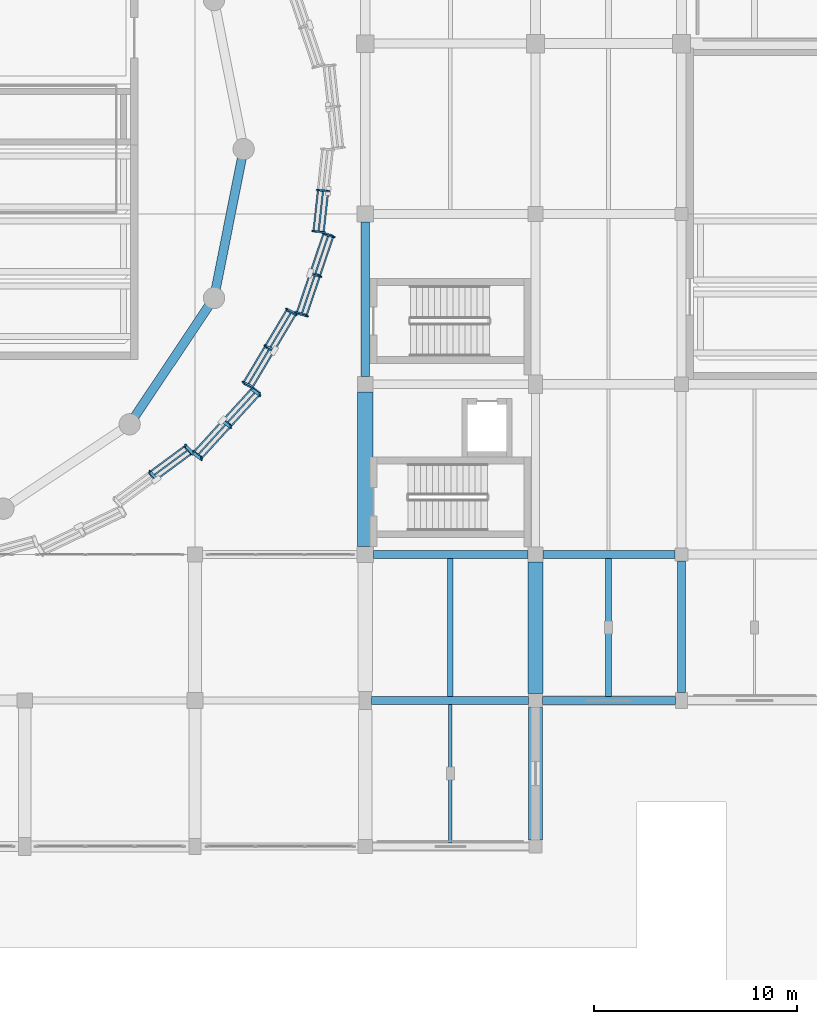
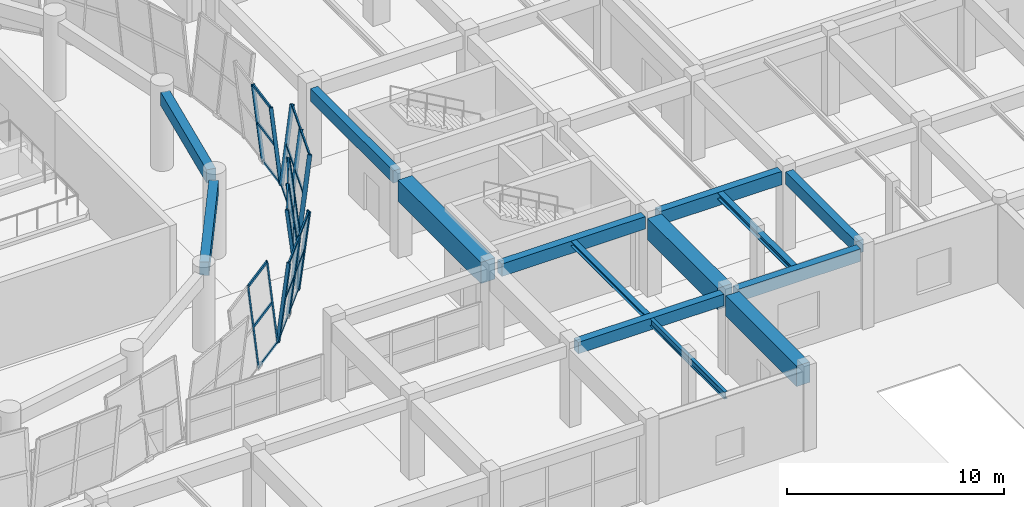
# One storey, part 27 of 72: 37 members, 14 beams, 5 elements without a shape of their own.
"""IFC4 building model written with IfcOpenShell, lengths in metres."""

from ifc_helpers import new_model, si_unit, direction, frame, origin, origin_2d, place, context, subcontext, project, spatial, rectangle, hollow_rectangle, i_section, extrude, material, material_profile, profile_set, type_object, element, aggregate, save


model = new_model("IFC4")

# Units and contexts
model_context = context("Model", 3, precision=1e-05, world=origin(), true_north=direction((0.0, 1.0)))
body_context = subcontext(model_context, "Body", "Model", "MODEL_VIEW")
ifc_project = project(units=[si_unit("LENGTHUNIT", "METRE"), si_unit("AREAUNIT", "SQUARE_METRE"), si_unit("VOLUMEUNIT", "CUBIC_METRE"), si_unit("PLANEANGLEUNIT", "RADIAN"), si_unit("MASSUNIT", "GRAM", prefix="KILO")], contexts=[model_context])

# Site, building, storey
site_placement = place(None, origin())
site = spatial("IfcSite", under=ifc_project, at=site_placement, CompositionType="ELEMENT")
building_placement = place(site_placement, origin())
building = spatial("IfcBuilding", under=site, at=building_placement, Name="Korsvaeld Concert Hall", CompositionType="ELEMENT")
storey_placement = place(building_placement, origin())
storey = spatial("IfcBuildingStorey", under=building, at=storey_placement, Name="L00", CompositionType="ELEMENT", Elevation=0.0)

# Beams
ifc_material_1 = material(Name="Concrete C35/45", Category="concrete")
ifc_material_profile_1 = material_profile(ifc_material_1, rectangle(XDim=0.39990234375, YDim=0.64990234375, at=origin_2d()), Name="RC 400x650")
ifc_profile_set_1 = profile_set([ifc_material_profile_1], Name="Concrete C35/45")
beam_type_1 = type_object("IfcBeamType", Name="BM-RC-400x650", PredefinedType="T_BEAM", material=ifc_profile_set_1)
beam_1_placement = place(storey_placement, frame((109.5, 36.0, 4.114990234375), z_axis=(1.0, 0.0, 0.0), x_axis=(0.0, 1.0, 0.0)))
element("IfcBeam", 1, at=beam_1_placement, inside=storey, type_object=beam_type_1, Name="Primary girder 15-16/F L00", PredefinedType="T_BEAM", context=body_context, shape_type="SweptSolid", body=[
    extrude(rectangle(XDim=0.39990234375, YDim=0.64990234375, at=origin_2d()), origin(), (0.0, 0.0, 1.0), 7.75),
])
ifc_material_profile_2 = material_profile(ifc_material_1, rectangle(XDim=0.39990234375, YDim=0.699951171875, at=origin_2d()), Name="RC 400x700")
ifc_profile_set_2 = profile_set([ifc_material_profile_2], Name="Concrete C35/45")
beam_type_2 = type_object("IfcBeamType", Name="BM-RC-400x700", PredefinedType="T_BEAM", material=ifc_profile_set_2)
beam_2_placement = place(storey_placement, frame((117.949951171875, 36.0, 4.090087890625), z_axis=(1.0, 0.0, 0.0), x_axis=(0.0, 1.0, 0.0)))
element("IfcBeam", 2, at=beam_2_placement, inside=storey, type_object=beam_type_2, Name="Primary girder 16-17/F L00", PredefinedType="T_BEAM", context=body_context, shape_type="SweptSolid", body=[
    extrude(rectangle(XDim=0.39990234375, YDim=0.699951171875, at=origin_2d()), origin(), (0.0, 0.0, 1.0), 6.550048828125),
])
for number, where, z_axis, x_axis, name in (
    (3, (109.60009765625, 43.199951171875, 4.090087890625), (1.0, 0.0, 0.0), (0.0, 1.0, 0.0), "Primary girder 15-16/G L00"),
    (4, (109.199951171875, 51.97509765625, 4.090087890625), (0.0, 1.0, 0.0), (-1.0, 0.0, 0.0), "Primary girder 15/H-J L00"),
):
    element("IfcBeam", number, at=place(storey_placement, frame(where, z_axis=z_axis, x_axis=x_axis)), inside=storey, type_object=beam_type_2, Name=name, PredefinedType="T_BEAM", context=body_context, shape_type="SweptSolid", body=[
        extrude(rectangle(XDim=0.39990234375, YDim=0.699951171875, at=origin_2d()), origin(), (0.0, 0.0, 1.0), 7.625),
    ])
beam_3_placement = place(storey_placement, frame((124.800048828125, 36.39990234375, 4.090087890625), z_axis=(0.0, 1.0, 0.0), x_axis=(-1.0, 0.0, 0.0)))
element("IfcBeam", 5, at=beam_3_placement, inside=storey, type_object=beam_type_2, Name="Primary girder 17/F-G L00", PredefinedType="T_BEAM", context=body_context, shape_type="SweptSolid", body=[
    extrude(rectangle(XDim=0.39990234375, YDim=0.699951171875, at=origin_2d()), origin(), (0.0, 0.0, 1.0), 6.47509765625),
])
ifc_material_profile_3 = material_profile(ifc_material_1, rectangle(XDim=0.39990234375, YDim=0.75, at=origin_2d()), Name="RC 400x750")
ifc_profile_set_3 = profile_set([ifc_material_profile_3], Name="Concrete C35/45")
beam_type_3 = type_object("IfcBeamType", Name="BM-RC-400x750", PredefinedType="T_BEAM", material=ifc_profile_set_3)
beam_4_placement = place(storey_placement, frame((117.97509765625, 43.199951171875, 4.06494140625), z_axis=(1.0, 0.0, 0.0), x_axis=(0.0, 1.0, 0.0)))
element("IfcBeam", 6, at=beam_4_placement, inside=storey, type_object=beam_type_3, Name="Primary girder 16-17/G L00", PredefinedType="T_BEAM", context=body_context, shape_type="SweptSolid", body=[
    extrude(rectangle(XDim=0.39990234375, YDim=0.75, at=origin_2d()), origin(), (0.0, 0.0, 1.0), 6.5),
])
ifc_material_profile_4 = material_profile(ifc_material_1, rectangle(XDim=0.449951171875, YDim=0.75, at=origin_2d()), Name="RC 450x750")
ifc_profile_set_4 = profile_set([ifc_material_profile_4], Name="Concrete C35/45")
beam_type_4 = type_object("IfcBeamType", Name="BM-RC-450x750", PredefinedType="T_BEAM", material=ifc_profile_set_4)
for number, where, z_axis, x_axis, name in (
    (7, (97.826416015625, 49.997802734375, 4.06494140625), (0.555588821765, 0.831457191399, 0.0), (-0.831457191399, 0.555588821765, 0.0), "Drum ring floor girder L00 15"),
    (8, (101.826416015625, 56.2939453125, 4.06494140625), (0.195090301499, 0.980785284484, 0.0), (-0.980785284484, 0.195090301499, 0.0), "Drum ring floor girder L00 16"),
):
    element("IfcBeam", number, at=place(storey_placement, frame(where, z_axis=z_axis, x_axis=x_axis)), inside=storey, type_object=beam_type_4, Name=name, PredefinedType="T_BEAM", context=body_context, shape_type="SweptSolid", body=[
        extrude(rectangle(XDim=0.449951171875, YDim=0.75, at=origin_2d()), origin(), (0.0, 0.0, 1.0), 6.59130859375),
    ])
ifc_material_2 = material(Name="Concrete C40/50", Category="concrete")
ifc_material_profile_5 = material_profile(ifc_material_2, rectangle(XDim=0.699951171875, YDim=1.14990234375, at=origin_2d()), Name="RC 700x1150")
ifc_profile_set_5 = profile_set([ifc_material_profile_5], Name="Concrete C40/50")
beam_type_5 = type_object("IfcBeamType", Name="BM-RC-700x1150", PredefinedType="T_BEAM", material=ifc_profile_set_5)
beam_5_placement = place(storey_placement, frame((117.60009765625, 29.125, 3.864990234375), z_axis=(0.0, 1.0, 0.0), x_axis=(-1.0, 0.0, 0.0)))
element("IfcBeam", 9, at=beam_5_placement, inside=storey, type_object=beam_type_5, Name="Primary girder 16/E-F L00", PredefinedType="T_BEAM", context=body_context, shape_type="SweptSolid", body=[
    extrude(rectangle(XDim=0.699951171875, YDim=1.14990234375, at=origin_2d()), origin(), (0.0, 0.0, 1.0), 6.52490234375),
])
ifc_material_profile_6 = material_profile(ifc_material_2, rectangle(XDim=0.75, YDim=1.199951171875, at=origin_2d()), Name="RC 750x1200")
ifc_profile_set_6 = profile_set([ifc_material_profile_6], Name="Concrete C40/50")
beam_type_6 = type_object("IfcBeamType", Name="BM-RC-750x1200", PredefinedType="T_BEAM", material=ifc_profile_set_6)
beam_6_placement = place(storey_placement, frame((109.199951171875, 43.60009765625, 3.840087890625), z_axis=(0.0, 1.0, 0.0), x_axis=(-1.0, 0.0, 0.0)))
element("IfcBeam", 10, at=beam_6_placement, inside=storey, type_object=beam_type_6, Name="Primary girder 15/G-H L00", PredefinedType="T_BEAM", context=body_context, shape_type="SweptSolid", body=[
    extrude(rectangle(XDim=0.75, YDim=1.199951171875, at=origin_2d()), origin(), (0.0, 0.0, 1.0), 7.625),
])
beam_7_placement = place(storey_placement, frame((117.60009765625, 36.35009765625, 3.840087890625), z_axis=(0.0, 1.0, 0.0), x_axis=(-1.0, 0.0, 0.0)))
element("IfcBeam", 11, at=beam_7_placement, inside=storey, type_object=beam_type_6, Name="Primary girder 16/F-G L00", PredefinedType="T_BEAM", context=body_context, shape_type="SweptSolid", body=[
    extrude(rectangle(XDim=0.75, YDim=1.199951171875, at=origin_2d()), origin(), (0.0, 0.0, 1.0), 6.474853515625),
])
ifc_material_3 = material(Name="Steel S355J2", Category="steel")
ifc_material_profile_7 = material_profile(ifc_material_3, i_section(OverallWidth=0.280029296875, OverallDepth=0.27001953125, WebThickness=0.008056640625, FlangeThickness=0.012939453125, FilletRadius=0.02392578125, at=origin_2d()), Name="HEA 280")
ifc_profile_set_7 = profile_set([ifc_material_profile_7], Name="Steel S355J2")
beam_type_7 = type_object("IfcBeamType", Name="BM-STL-HEA280", PredefinedType="BEAM", material=ifc_profile_set_7)
beam_8_placement = place(storey_placement, frame((113.39990234375, 36.199951171875, 4.304931640625), z_axis=(0.0, 1.0, 0.0), x_axis=(-1.0, 0.0, 0.0)))
element("IfcBeam", 12, at=beam_8_placement, inside=storey, type_object=beam_type_7, Name="Secondary steel floor beam 15-16/F L00", PredefinedType="BEAM", context=body_context, shape_type="SweptSolid", body=[
    extrude(i_section(OverallWidth=0.280029296875, OverallDepth=0.27001953125, WebThickness=0.008056640625, FlangeThickness=0.012939453125, FilletRadius=0.02392578125, at=origin_2d()), origin(), (0.0, 0.0, 1.0), 6.800048828125),
])
ifc_material_profile_8 = material_profile(ifc_material_3, i_section(OverallWidth=0.300048828125, OverallDepth=0.35009765625, WebThickness=0.010009765625, FlangeThickness=0.017578125, FilletRadius=0.027099609375, at=origin_2d()), Name="HEA 360")
ifc_profile_set_8 = profile_set([ifc_material_profile_8], Name="Steel S355J2")
beam_type_8 = type_object("IfcBeamType", Name="BM-STL-HEA360", PredefinedType="BEAM", material=ifc_profile_set_8)
beam_9_placement = place(storey_placement, frame((121.199951171875, 36.199951171875, 4.264892578125), z_axis=(0.0, 1.0, 0.0), x_axis=(-1.0, 0.0, 0.0)))
element("IfcBeam", 13, at=beam_9_placement, inside=storey, type_object=beam_type_8, Name="Secondary steel floor beam 16-17/F L00", PredefinedType="BEAM", context=body_context, shape_type="SweptSolid", body=[
    extrude(i_section(OverallWidth=0.300048828125, OverallDepth=0.35009765625, WebThickness=0.010009765625, FlangeThickness=0.017578125, FilletRadius=0.027099609375, at=origin_2d()), origin(), (0.0, 0.0, 1.0), 6.800048828125),
])
ifc_material_profile_9 = material_profile(ifc_material_3, i_section(OverallWidth=0.179931640625, OverallDepth=0.39990234375, WebThickness=0.008544921875, FlangeThickness=0.013427734375, FilletRadius=0.02099609375, at=origin_2d()), Name="IPE 400")
ifc_profile_set_9 = profile_set([ifc_material_profile_9], Name="Steel S355J2")
beam_type_9 = type_object("IfcBeamType", Name="BM-STL-IPE400", PredefinedType="BEAM", material=ifc_profile_set_9)
beam_10_placement = place(storey_placement, frame((113.39990234375, 28.97509765625, 4.239990234375), z_axis=(0.0, 1.0, 0.0), x_axis=(-1.0, 0.0, 0.0)))
element("IfcBeam", 14, at=beam_10_placement, inside=storey, type_object=beam_type_9, Name="Secondary steel floor beam 15-16/E L00", PredefinedType="BEAM", context=body_context, shape_type="SweptSolid", body=[
    extrude(i_section(OverallWidth=0.179931640625, OverallDepth=0.39990234375, WebThickness=0.008544921875, FlangeThickness=0.013427734375, FilletRadius=0.02099609375, at=origin_2d()), origin(), (0.0, 0.0, 1.0), 6.824951171875),
])

# Curtain wall, members
ifc_material_4 = material(Name="Anodised bronze and ceramic-fritted safety glass", Category="glass")
curtain_wall_type_1 = type_object("IfcCurtainWallType", Name="CW-TYPE-04", PredefinedType="USERDEFINED", material=ifc_material_4)
curtain_wall_1_placement = place(storey_placement, origin())
curtain_wall_1 = element("IfcCurtainWall", 15, at=curtain_wall_1_placement, inside=storey, type_object=curtain_wall_type_1, Name="Crystal curtain-wall facet L00 F28", ObjectType="CURTAIN WALL", PredefinedType="USERDEFINED")
ifc_material_5 = material(Name="Anodised architectural bronze aluminium", Category="aluminium")
ifc_material_profile_10 = material_profile(ifc_material_5, hollow_rectangle(XDim=0.074951171875, YDim=0.179931640625, WallThickness=0.0048828125, at=origin_2d()), Name="CWM 180x75x5")
ifc_profile_set_10 = profile_set([ifc_material_profile_10], Name="Anodised architectural bronze aluminium")
member_type_1 = type_object("IfcMemberType", Name="CWM-BRONZE-180x75", PredefinedType="MULLION", material=ifc_profile_set_10)
member_1_placement = place(storey_placement, frame((98.899658203125, 46.89111328125, 0.0), z_axis=(-0.076345544466, 0.083546932703, 0.993574993584), x_axis=(0.977534797756, -0.190071839955, 0.091095635634)))
member_1 = element("IfcMember", 16, at=member_1_placement, type_object=member_type_1, Name="CW-CRYS-L00-F28 crystal mullion 2", PredefinedType="MULLION", context=body_context, shape_type="SweptSolid", body=[
    extrude(hollow_rectangle(XDim=0.074951171875, YDim=0.179931640625, WallThickness=0.0048828125, at=origin_2d()), origin(), (0.0, 0.0, 1.0), 4.509033203125),
])
member_2_placement = place(storey_placement, frame((100.657470703125, 48.18701171875, 0.0), z_axis=(-0.076345198991, 0.083600700172, 0.99357049751), x_axis=(0.977470985896, -0.190384528217, 0.091127400637)))
member_2 = element("IfcMember", 17, at=member_2_placement, type_object=member_type_1, Name="CW-CRYS-L00-F28 crystal mullion 3", PredefinedType="MULLION", context=body_context, shape_type="SweptSolid", body=[
    extrude(hollow_rectangle(XDim=0.074951171875, YDim=0.179931640625, WallThickness=0.0048828125, at=origin_2d()), origin(), (0.0, 0.0, 1.0), 4.509033203125),
])

curtain_wall_type_2 = type_object("IfcCurtainWallType", Name="CW-TYPE-06", PredefinedType="USERDEFINED", material=ifc_material_4)
curtain_wall_2_placement = place(storey_placement, origin())
curtain_wall_2 = element("IfcCurtainWall", 18, at=curtain_wall_2_placement, inside=storey, type_object=curtain_wall_type_2, Name="Crystal curtain-wall facet L00 F30", ObjectType="CURTAIN WALL", PredefinedType="USERDEFINED")
member_3_placement = place(storey_placement, frame((103.641845703125, 51.4541015625, 0.0), z_axis=(-0.102064294294, 0.049001690364, 0.993570185831), x_axis=(0.829955472375, 0.554817257188, 0.057894084342)))
member_3 = element("IfcMember", 19, at=member_3_placement, type_object=member_type_1, Name="CW-CRYS-L00-F30 crystal mullion 1", PredefinedType="MULLION", context=body_context, shape_type="SweptSolid", body=[
    extrude(hollow_rectangle(XDim=0.074951171875, YDim=0.179931640625, WallThickness=0.0048828125, at=origin_2d()), origin(), (0.0, 0.0, 1.0), 4.509033203125),
])
member_4_placement = place(storey_placement, frame((104.713134765625, 53.25439453125, 0.0), z_axis=(-0.102064294294, 0.049001690364, 0.993570185831), x_axis=(0.829955472375, 0.554817257188, 0.057894084342)))
member_4 = element("IfcMember", 20, at=member_4_placement, type_object=member_type_1, Name="CW-CRYS-L00-F30 crystal mullion 2", PredefinedType="MULLION", context=body_context, shape_type="SweptSolid", body=[
    extrude(hollow_rectangle(XDim=0.074951171875, YDim=0.179931640625, WallThickness=0.0048828125, at=origin_2d()), origin(), (0.0, 0.0, 1.0), 4.509033203125),
])
member_5_placement = place(storey_placement, frame((105.784423828125, 55.054931640625, 0.0), z_axis=(-0.102064294294, 0.049001690364, 0.993570185831), x_axis=(0.829955472375, 0.554817257188, 0.057894084342)))
member_5 = element("IfcMember", 21, at=member_5_placement, type_object=member_type_1, Name="CW-CRYS-L00-F30 crystal mullion 3", PredefinedType="MULLION", context=body_context, shape_type="SweptSolid", body=[
    extrude(hollow_rectangle(XDim=0.074951171875, YDim=0.179931640625, WallThickness=0.0048828125, at=origin_2d()), origin(), (0.0, 0.0, 1.0), 4.509033203125),
])

curtain_wall_type_3 = type_object("IfcCurtainWallType", Name="CW-TYPE-08", PredefinedType="USERDEFINED", material=ifc_material_4)
curtain_wall_3_placement = place(storey_placement, origin())
curtain_wall_3 = element("IfcCurtainWall", 22, at=curtain_wall_3_placement, inside=storey, type_object=curtain_wall_type_3, Name="Crystal curtain-wall facet L00 F32", ObjectType="CURTAIN WALL", PredefinedType="USERDEFINED")
member_6_placement = place(storey_placement, frame((107.150634765625, 59.101318359375, 0.0), z_axis=(-0.112785024271, 0.009962767386, 0.993569464892), x_axis=(0.195342682506, 0.980657399627, 0.012341027037)))
member_6 = element("IfcMember", 23, at=member_6_placement, type_object=member_type_1, Name="CW-CRYS-L00-F32 crystal mullion 1", PredefinedType="MULLION", context=body_context, shape_type="SweptSolid", body=[
    extrude(hollow_rectangle(XDim=0.074951171875, YDim=0.179931640625, WallThickness=0.0048828125, at=origin_2d()), origin(), (0.0, 0.0, 1.0), 4.509033203125),
])
member_7_placement = place(storey_placement, frame((107.373291015625, 61.132080078125, 0.0), z_axis=(-0.112785024271, 0.009962767386, 0.993569464892), x_axis=(0.195342682506, 0.980657399627, 0.012341027037)))
member_7 = element("IfcMember", 24, at=member_7_placement, type_object=member_type_1, Name="CW-CRYS-L00-F32 crystal mullion 2", PredefinedType="MULLION", context=body_context, shape_type="SweptSolid", body=[
    extrude(hollow_rectangle(XDim=0.074951171875, YDim=0.179931640625, WallThickness=0.0048828125, at=origin_2d()), origin(), (0.0, 0.0, 1.0), 4.509033203125),
])

curtain_wall_type_4 = type_object("IfcCurtainWallType", Name="CW-TYPE-05", PredefinedType="USERDEFINED", material=ifc_material_4)
curtain_wall_4_placement = place(storey_placement, origin())
curtain_wall_4 = element("IfcCurtainWall", 25, at=curtain_wall_4_placement, inside=storey, type_object=curtain_wall_type_4, Name="Crystal curtain-wall facet L00 F29", ObjectType="CURTAIN WALL", PredefinedType="USERDEFINED")
ifc_material_profile_11 = material_profile(ifc_material_5, hollow_rectangle(XDim=0.074951171875, YDim=0.219970703125, WallThickness=0.006103515625, at=origin_2d()), Name="CWM 220x75x6")
ifc_profile_set_11 = profile_set([ifc_material_profile_11], Name="Anodised architectural bronze aluminium")
member_type_2 = type_object("IfcMemberType", Name="CWM-BRONZE-220x75", PredefinedType="MULLION", material=ifc_profile_set_11)
member_8_placement = place(storey_placement, frame((100.712890625, 48.237060546875, 0.0), z_axis=(0.091126857677, -0.06719455162, 0.993569719769), x_axis=(-0.977527412796, -0.19648978478, 0.076367019772)))
member_8 = element("IfcMember", 26, at=member_8_placement, type_object=member_type_2, Name="CW-CRYS-L00-F29 crystal mullion 1", PredefinedType="MULLION", context=body_context, shape_type="SweptSolid", body=[
    extrude(hollow_rectangle(XDim=0.074951171875, YDim=0.219970703125, WallThickness=0.006103515625, at=origin_2d()), origin(), (0.0, 0.0, 1.0), 4.509033203125),
])
member_9_placement = place(storey_placement, frame((102.1552734375, 49.815673828125, 0.0), z_axis=(0.091126857677, -0.06719455162, 0.993569719769), x_axis=(-0.977527412796, -0.19648978478, 0.076367019772)))
member_9 = element("IfcMember", 27, at=member_9_placement, type_object=member_type_2, Name="CW-CRYS-L00-F29 crystal mullion 2", PredefinedType="MULLION", context=body_context, shape_type="SweptSolid", body=[
    extrude(hollow_rectangle(XDim=0.074951171875, YDim=0.219970703125, WallThickness=0.006103515625, at=origin_2d()), origin(), (0.0, 0.0, 1.0), 4.509033203125),
])
member_10_placement = place(storey_placement, frame((103.597412109375, 51.394287109375, 0.0), z_axis=(0.091126857677, -0.06719455162, 0.993569719769), x_axis=(-0.977527412796, -0.19648978478, 0.076367019772)))
member_10 = element("IfcMember", 28, at=member_10_placement, type_object=member_type_2, Name="CW-CRYS-L00-F29 crystal mullion 3", PredefinedType="MULLION", context=body_context, shape_type="SweptSolid", body=[
    extrude(hollow_rectangle(XDim=0.074951171875, YDim=0.219970703125, WallThickness=0.006103515625, at=origin_2d()), origin(), (0.0, 0.0, 1.0), 4.509033203125),
])

curtain_wall_type_5 = type_object("IfcCurtainWallType", Name="CW-TYPE-07", PredefinedType="USERDEFINED", material=ifc_material_4)
curtain_wall_5_placement = place(storey_placement, origin())
curtain_wall_5 = element("IfcCurtainWall", 29, at=curtain_wall_5_placement, inside=storey, type_object=curtain_wall_type_5, Name="Crystal curtain-wall facet L00 F31", ObjectType="CURTAIN WALL", PredefinedType="USERDEFINED")
member_11_placement = place(storey_placement, frame((105.815673828125, 55.12255859375, 0.0), z_axis=(0.109211912002, -0.029725998854, 0.993573914346), x_axis=(-0.555535114655, -0.830704252875, 0.036210228416)))
member_11 = element("IfcMember", 30, at=member_11_placement, type_object=member_type_2, Name="CW-CRYS-L00-F31 crystal mullion 1", PredefinedType="MULLION", context=body_context, shape_type="SweptSolid", body=[
    extrude(hollow_rectangle(XDim=0.074951171875, YDim=0.219970703125, WallThickness=0.006103515625, at=origin_2d()), origin(), (0.0, 0.0, 1.0), 4.509033203125),
])
member_12_placement = place(storey_placement, frame((106.47509765625, 57.07568359375, 0.0), z_axis=(0.109211736062, -0.029780096596, 0.993572313701), x_axis=(-0.555917957022, -0.830447902565, 0.036214723319)))
member_12 = element("IfcMember", 31, at=member_12_placement, type_object=member_type_2, Name="CW-CRYS-L00-F31 crystal mullion 2", PredefinedType="MULLION", context=body_context, shape_type="SweptSolid", body=[
    extrude(hollow_rectangle(XDim=0.074951171875, YDim=0.219970703125, WallThickness=0.006103515625, at=origin_2d()), origin(), (0.0, 0.0, 1.0), 4.509033203125),
])
member_13_placement = place(storey_placement, frame((107.134521484375, 59.028564453125, 0.0), z_axis=(0.109211736062, -0.029780096596, 0.993572313701), x_axis=(-0.555917957022, -0.830447902565, 0.036214723319)))
member_13 = element("IfcMember", 32, at=member_13_placement, type_object=member_type_2, Name="CW-CRYS-L00-F31 crystal mullion 3", PredefinedType="MULLION", context=body_context, shape_type="SweptSolid", body=[
    extrude(hollow_rectangle(XDim=0.074951171875, YDim=0.219970703125, WallThickness=0.006103515625, at=origin_2d()), origin(), (0.0, 0.0, 1.0), 4.509033203125),
])

# Member
ifc_material_profile_12 = material_profile(ifc_material_5, hollow_rectangle(XDim=0.074951171875, YDim=0.14990234375, WallThickness=0.0048828125, at=origin_2d()), Name="CWT 150x75x5")
ifc_profile_set_12 = profile_set([ifc_material_profile_12], Name="Anodised architectural bronze aluminium")
member_type_3 = type_object("IfcMemberType", Name="CWT-BRONZE-150x75", PredefinedType="USERDEFINED", material=ifc_profile_set_12)
member_14_placement = place(storey_placement, frame((98.927490234375, 46.915771484375, 0.030029296875), z_axis=(0.804904507896, 0.593404358906, 0.0), x_axis=(-0.593404358906, 0.804904507896, 0.0)))
member_14 = element("IfcMember", 33, at=member_14_placement, type_object=member_type_3, Name="CW-CRYS-L00-F28 crystal transom 2.1", ObjectType="TRANSOM", PredefinedType="USERDEFINED", context=body_context, shape_type="SweptSolid", body=[
    extrude(hollow_rectangle(XDim=0.074951171875, YDim=0.14990234375, WallThickness=0.0048828125, at=origin_2d()), origin(), (0.0, 0.0, 1.0), 2.10888671875),
])

member_15_placement = place(storey_placement, frame((98.757568359375, 47.101806640625, 2.239990234375), z_axis=(0.804904507896, 0.593404358906, 0.0), x_axis=(-0.593404358906, 0.804904507896, 0.0)))
member_15 = element("IfcMember", 34, at=member_15_placement, type_object=member_type_3, Name="CW-CRYS-L00-F28 crystal transom 2.2", ObjectType="TRANSOM", PredefinedType="USERDEFINED", context=body_context, shape_type="SweptSolid", body=[
    extrude(hollow_rectangle(XDim=0.074951171875, YDim=0.14990234375, WallThickness=0.0048828125, at=origin_2d()), origin(), (0.0, 0.0, 1.0), 2.10888671875),
])

member_16_placement = place(storey_placement, frame((98.587890625, 47.28759765625, 4.449951171875), z_axis=(0.804904507896, 0.593404358906, 0.0), x_axis=(-0.593404358906, 0.804904507896, 0.0)))
member_16 = element("IfcMember", 35, at=member_16_placement, type_object=member_type_3, Name="CW-CRYS-L00-F28 crystal transom 2.3", ObjectType="TRANSOM", PredefinedType="USERDEFINED", context=body_context, shape_type="SweptSolid", body=[
    extrude(hollow_rectangle(XDim=0.074951171875, YDim=0.14990234375, WallThickness=0.0048828125, at=origin_2d()), origin(), (0.0, 0.0, 1.0), 2.10888671875),
])

aggregate(curtain_wall_1, [member_1, member_2, member_14, member_15, member_16])

member_17_placement = place(storey_placement, frame((100.740966796875, 48.2626953125, 0.030029296875), z_axis=(0.674496604142, 0.738277949692, 0.0), x_axis=(-0.738277949692, 0.674496604142, 0.0)))
member_17 = element("IfcMember", 36, at=member_17_placement, type_object=member_type_3, Name="CW-CRYS-L00-F29 crystal transom 1.1", ObjectType="TRANSOM", PredefinedType="USERDEFINED", context=body_context, shape_type="SweptSolid", body=[
    extrude(hollow_rectangle(XDim=0.074951171875, YDim=0.14990234375, WallThickness=0.0048828125, at=origin_2d()), origin(), (0.0, 0.0, 1.0), 2.063232421875),
])

member_18_placement = place(storey_placement, frame((100.943603515625, 48.11328125, 2.239990234375), z_axis=(0.674561094192, 0.738219025901, 0.0), x_axis=(-0.738219025901, 0.674561094192, 0.0)))
member_18 = element("IfcMember", 37, at=member_18_placement, type_object=member_type_3, Name="CW-CRYS-L00-F29 crystal transom 1.2", ObjectType="TRANSOM", PredefinedType="USERDEFINED", context=body_context, shape_type="SweptSolid", body=[
    extrude(hollow_rectangle(XDim=0.074951171875, YDim=0.14990234375, WallThickness=0.0048828125, at=origin_2d()), origin(), (0.0, 0.0, 1.0), 2.063232421875),
])

member_19_placement = place(storey_placement, frame((101.146484375, 47.9638671875, 4.449951171875), z_axis=(0.674496604142, 0.738277949692, 0.0), x_axis=(-0.738277949692, 0.674496604142, 0.0)))
member_19 = element("IfcMember", 38, at=member_19_placement, type_object=member_type_3, Name="CW-CRYS-L00-F29 crystal transom 1.3", ObjectType="TRANSOM", PredefinedType="USERDEFINED", context=body_context, shape_type="SweptSolid", body=[
    extrude(hollow_rectangle(XDim=0.074951171875, YDim=0.14990234375, WallThickness=0.0048828125, at=origin_2d()), origin(), (0.0, 0.0, 1.0), 2.063232421875),
])

member_20_placement = place(storey_placement, frame((102.183349609375, 49.84130859375, 0.030029296875), z_axis=(0.674496604142, 0.738277949692, 0.0), x_axis=(-0.738277949692, 0.674496604142, 0.0)))
member_20 = element("IfcMember", 39, at=member_20_placement, type_object=member_type_3, Name="CW-CRYS-L00-F29 crystal transom 2.1", ObjectType="TRANSOM", PredefinedType="USERDEFINED", context=body_context, shape_type="SweptSolid", body=[
    extrude(hollow_rectangle(XDim=0.074951171875, YDim=0.14990234375, WallThickness=0.0048828125, at=origin_2d()), origin(), (0.0, 0.0, 1.0), 2.063232421875),
])

member_21_placement = place(storey_placement, frame((102.385986328125, 49.69189453125, 2.239990234375), z_axis=(0.674496604142, 0.738277949692, 0.0), x_axis=(-0.738277949692, 0.674496604142, 0.0)))
member_21 = element("IfcMember", 40, at=member_21_placement, type_object=member_type_3, Name="CW-CRYS-L00-F29 crystal transom 2.2", ObjectType="TRANSOM", PredefinedType="USERDEFINED", context=body_context, shape_type="SweptSolid", body=[
    extrude(hollow_rectangle(XDim=0.074951171875, YDim=0.14990234375, WallThickness=0.0048828125, at=origin_2d()), origin(), (0.0, 0.0, 1.0), 2.063232421875),
])

member_22_placement = place(storey_placement, frame((102.588623046875, 49.54248046875, 4.449951171875), z_axis=(0.674496604142, 0.738277949692, 0.0), x_axis=(-0.738277949692, 0.674496604142, 0.0)))
member_22 = element("IfcMember", 41, at=member_22_placement, type_object=member_type_3, Name="CW-CRYS-L00-F29 crystal transom 2.3", ObjectType="TRANSOM", PredefinedType="USERDEFINED", context=body_context, shape_type="SweptSolid", body=[
    extrude(hollow_rectangle(XDim=0.074951171875, YDim=0.14990234375, WallThickness=0.0048828125, at=origin_2d()), origin(), (0.0, 0.0, 1.0), 2.063232421875),
])

aggregate(curtain_wall_4, [member_8, member_9, member_10, member_17, member_18, member_19, member_20, member_21, member_22])

member_23_placement = place(storey_placement, frame((103.657958984375, 51.48779296875, 0.030029296875), z_axis=(0.511381861684, 0.859353589357, 0.0), x_axis=(-0.859353589357, 0.511381861684, 0.0)))
member_23 = element("IfcMember", 42, at=member_23_placement, type_object=member_type_3, Name="CW-CRYS-L00-F30 crystal transom 1.1", ObjectType="TRANSOM", PredefinedType="USERDEFINED", context=body_context, shape_type="SweptSolid", body=[
    extrude(hollow_rectangle(XDim=0.074951171875, YDim=0.14990234375, WallThickness=0.0048828125, at=origin_2d()), origin(), (0.0, 0.0, 1.0), 2.02001953125),
])

member_24_placement = place(storey_placement, frame((103.430908203125, 51.596923828125, 2.239990234375), z_axis=(0.511381861684, 0.859353589357, 0.0), x_axis=(-0.859353589357, 0.511381861684, 0.0)))
member_24 = element("IfcMember", 43, at=member_24_placement, type_object=member_type_3, Name="CW-CRYS-L00-F30 crystal transom 1.2", ObjectType="TRANSOM", PredefinedType="USERDEFINED", context=body_context, shape_type="SweptSolid", body=[
    extrude(hollow_rectangle(XDim=0.074951171875, YDim=0.14990234375, WallThickness=0.0048828125, at=origin_2d()), origin(), (0.0, 0.0, 1.0), 2.02001953125),
])

member_25_placement = place(storey_placement, frame((103.2041015625, 51.705810546875, 4.449951171875), z_axis=(0.511292595627, 0.859406703288, 0.0), x_axis=(-0.859406703288, 0.511292595627, 0.0)))
member_25 = element("IfcMember", 44, at=member_25_placement, type_object=member_type_3, Name="CW-CRYS-L00-F30 crystal transom 1.3", ObjectType="TRANSOM", PredefinedType="USERDEFINED", context=body_context, shape_type="SweptSolid", body=[
    extrude(hollow_rectangle(XDim=0.074951171875, YDim=0.14990234375, WallThickness=0.0048828125, at=origin_2d()), origin(), (0.0, 0.0, 1.0), 2.019775390625),
])

member_26_placement = place(storey_placement, frame((104.729248046875, 53.288330078125, 0.030029296875), z_axis=(0.511381861684, 0.859353589357, 0.0), x_axis=(-0.859353589357, 0.511381861684, 0.0)))
member_26 = element("IfcMember", 45, at=member_26_placement, type_object=member_type_3, Name="CW-CRYS-L00-F30 crystal transom 2.1", ObjectType="TRANSOM", PredefinedType="USERDEFINED", context=body_context, shape_type="SweptSolid", body=[
    extrude(hollow_rectangle(XDim=0.074951171875, YDim=0.14990234375, WallThickness=0.0048828125, at=origin_2d()), origin(), (0.0, 0.0, 1.0), 2.02001953125),
])

member_27_placement = place(storey_placement, frame((104.502197265625, 53.397216796875, 2.239990234375), z_axis=(0.511381861684, 0.859353589357, 0.0), x_axis=(-0.859353589357, 0.511381861684, 0.0)))
member_27 = element("IfcMember", 46, at=member_27_placement, type_object=member_type_3, Name="CW-CRYS-L00-F30 crystal transom 2.2", ObjectType="TRANSOM", PredefinedType="USERDEFINED", context=body_context, shape_type="SweptSolid", body=[
    extrude(hollow_rectangle(XDim=0.074951171875, YDim=0.14990234375, WallThickness=0.0048828125, at=origin_2d()), origin(), (0.0, 0.0, 1.0), 2.02001953125),
])

member_28_placement = place(storey_placement, frame((104.275390625, 53.506103515625, 4.449951171875), z_axis=(0.51123948759, 0.859438296987, 0.0), x_axis=(-0.859438296987, 0.51123948759, 0.0)))
member_28 = element("IfcMember", 47, at=member_28_placement, type_object=member_type_3, Name="CW-CRYS-L00-F30 crystal transom 2.3", ObjectType="TRANSOM", PredefinedType="USERDEFINED", context=body_context, shape_type="SweptSolid", body=[
    extrude(hollow_rectangle(XDim=0.074951171875, YDim=0.14990234375, WallThickness=0.0048828125, at=origin_2d()), origin(), (0.0, 0.0, 1.0), 2.02001953125),
])

aggregate(curtain_wall_2, [member_3, member_4, member_5, member_23, member_24, member_25, member_26, member_27, member_28])

member_29_placement = place(storey_placement, frame((105.830810546875, 55.1572265625, 0.030029296875), z_axis=(0.319949676143, 0.947434538497, 0.0), x_axis=(-0.947434538497, 0.319949676143, 0.0)))
member_29 = element("IfcMember", 48, at=member_29_placement, type_object=member_type_3, Name="CW-CRYS-L00-F31 crystal transom 1.1", ObjectType="TRANSOM", PredefinedType="USERDEFINED", context=body_context, shape_type="SweptSolid", body=[
    extrude(hollow_rectangle(XDim=0.074951171875, YDim=0.14990234375, WallThickness=0.0048828125, at=origin_2d()), origin(), (0.0, 0.0, 1.0), 1.986328125),
])

member_30_placement = place(storey_placement, frame((106.07373046875, 55.091064453125, 2.239990234375), z_axis=(0.319949676143, 0.947434538497, 0.0), x_axis=(-0.947434538497, 0.319949676143, 0.0)))
member_30 = element("IfcMember", 49, at=member_30_placement, type_object=member_type_3, Name="CW-CRYS-L00-F31 crystal transom 1.2", ObjectType="TRANSOM", PredefinedType="USERDEFINED", context=body_context, shape_type="SweptSolid", body=[
    extrude(hollow_rectangle(XDim=0.074951171875, YDim=0.14990234375, WallThickness=0.0048828125, at=origin_2d()), origin(), (0.0, 0.0, 1.0), 1.986328125),
])

member_31_placement = place(storey_placement, frame((106.316650390625, 55.02490234375, 4.449951171875), z_axis=(0.319949676143, 0.947434538497, 0.0), x_axis=(-0.947434538497, 0.319949676143, 0.0)))
member_31 = element("IfcMember", 50, at=member_31_placement, type_object=member_type_3, Name="CW-CRYS-L00-F31 crystal transom 1.3", ObjectType="TRANSOM", PredefinedType="USERDEFINED", context=body_context, shape_type="SweptSolid", body=[
    extrude(hollow_rectangle(XDim=0.074951171875, YDim=0.14990234375, WallThickness=0.0048828125, at=origin_2d()), origin(), (0.0, 0.0, 1.0), 1.986328125),
])

member_32_placement = place(storey_placement, frame((106.490234375, 57.1103515625, 0.030029296875), z_axis=(0.319949676143, 0.947434538497, 0.0), x_axis=(-0.947434538497, 0.319949676143, 0.0)))
member_32 = element("IfcMember", 51, at=member_32_placement, type_object=member_type_3, Name="CW-CRYS-L00-F31 crystal transom 2.1", ObjectType="TRANSOM", PredefinedType="USERDEFINED", context=body_context, shape_type="SweptSolid", body=[
    extrude(hollow_rectangle(XDim=0.074951171875, YDim=0.14990234375, WallThickness=0.0048828125, at=origin_2d()), origin(), (0.0, 0.0, 1.0), 1.986328125),
])

member_33_placement = place(storey_placement, frame((106.7333984375, 57.0439453125, 2.239990234375), z_axis=(0.319802090899, 0.947484365389, 0.0), x_axis=(-0.947484365389, 0.319802090899, 0.0)))
member_33 = element("IfcMember", 52, at=member_33_placement, type_object=member_type_3, Name="CW-CRYS-L00-F31 crystal transom 2.2", ObjectType="TRANSOM", PredefinedType="USERDEFINED", context=body_context, shape_type="SweptSolid", body=[
    extrude(hollow_rectangle(XDim=0.074951171875, YDim=0.14990234375, WallThickness=0.0048828125, at=origin_2d()), origin(), (0.0, 0.0, 1.0), 1.986328125),
])

member_34_placement = place(storey_placement, frame((106.976318359375, 56.977783203125, 4.449951171875), z_axis=(0.319839336506, 0.947471793155, 0.0), x_axis=(-0.947471793155, 0.319839336506, 0.0)))
member_34 = element("IfcMember", 53, at=member_34_placement, type_object=member_type_3, Name="CW-CRYS-L00-F31 crystal transom 2.3", ObjectType="TRANSOM", PredefinedType="USERDEFINED", context=body_context, shape_type="SweptSolid", body=[
    extrude(hollow_rectangle(XDim=0.074951171875, YDim=0.14990234375, WallThickness=0.0048828125, at=origin_2d()), origin(), (0.0, 0.0, 1.0), 1.986083984375),
])

aggregate(curtain_wall_5, [member_11, member_12, member_13, member_29, member_30, member_31, member_32, member_33, member_34])

member_35_placement = place(storey_placement, frame((107.1513671875, 59.138916015625, 0.030029296875), z_axis=(0.108933482058, 0.994049041289, 0.0), x_axis=(-0.994049041289, 0.108933482058, 0.0)))
member_35 = element("IfcMember", 54, at=member_35_placement, type_object=member_type_3, Name="CW-CRYS-L00-F32 crystal transom 1.1", ObjectType="TRANSOM", PredefinedType="USERDEFINED", context=body_context, shape_type="SweptSolid", body=[
    extrude(hollow_rectangle(XDim=0.074951171875, YDim=0.14990234375, WallThickness=0.0048828125, at=origin_2d()), origin(), (0.0, 0.0, 1.0), 1.9677734375),
])

member_36_placement = place(storey_placement, frame((106.900390625, 59.1611328125, 2.239990234375), z_axis=(0.10905607732, 0.99403559896, 0.0), x_axis=(-0.99403559896, 0.10905607732, 0.0)))
member_36 = element("IfcMember", 55, at=member_36_placement, type_object=member_type_3, Name="CW-CRYS-L00-F32 crystal transom 1.2", ObjectType="TRANSOM", PredefinedType="USERDEFINED", context=body_context, shape_type="SweptSolid", body=[
    extrude(hollow_rectangle(XDim=0.074951171875, YDim=0.14990234375, WallThickness=0.0048828125, at=origin_2d()), origin(), (0.0, 0.0, 1.0), 1.9677734375),
])

member_37_placement = place(storey_placement, frame((106.649658203125, 59.183349609375, 4.449951171875), z_axis=(0.108933482058, 0.994049041289, 0.0), x_axis=(-0.994049041289, 0.108933482058, 0.0)))
member_37 = element("IfcMember", 56, at=member_37_placement, type_object=member_type_3, Name="CW-CRYS-L00-F32 crystal transom 1.3", ObjectType="TRANSOM", PredefinedType="USERDEFINED", context=body_context, shape_type="SweptSolid", body=[
    extrude(hollow_rectangle(XDim=0.074951171875, YDim=0.14990234375, WallThickness=0.0048828125, at=origin_2d()), origin(), (0.0, 0.0, 1.0), 1.9677734375),
])

aggregate(curtain_wall_3, [member_6, member_7, member_35, member_36, member_37])

save(model, "model.ifc")
